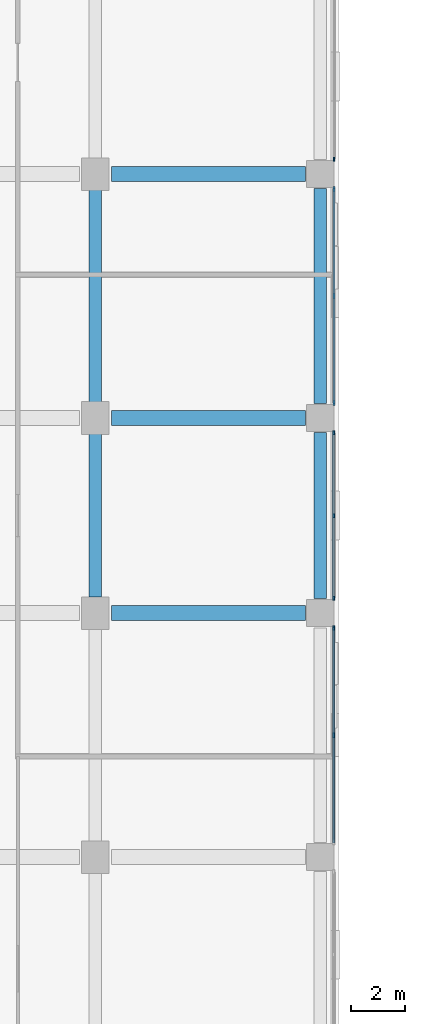
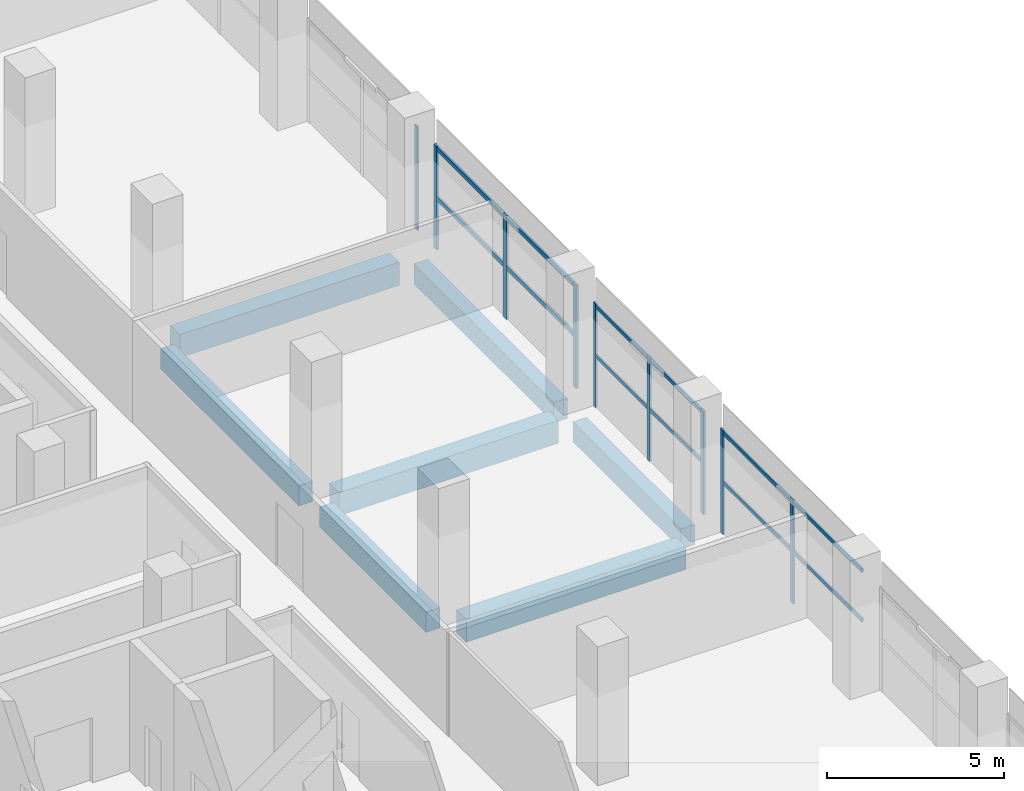
# One storey, part 18 of 111: 15 members, 7 beams, 4 elements without a shape of their own.
"""IFC4 building model written with IfcOpenShell, lengths in metres."""

from ifc_helpers import new_model, si_unit, direction, frame, origin, origin_2d, place, context, subcontext, project, spatial, rectangle, extrude, material, material_profile, profile_set, type_object, element, aggregate, save


model = new_model("IFC4")

# Units and contexts
model_context = context("Model", 3, precision=1e-05, world=origin(), true_north=direction((0.0, 1.0)))
body_context = subcontext(model_context, "Body", "Model", "MODEL_VIEW")
ifc_project = project(units=[si_unit("LENGTHUNIT", "METRE"), si_unit("AREAUNIT", "SQUARE_METRE"), si_unit("VOLUMEUNIT", "CUBIC_METRE"), si_unit("PLANEANGLEUNIT", "RADIAN"), si_unit("MASSUNIT", "GRAM", prefix="KILO"), si_unit("THERMODYNAMICTEMPERATUREUNIT", "KELVIN"), si_unit("POWERUNIT", "WATT")], contexts=[model_context])

# Site, building, storey
site_placement = place(None, origin())
site = spatial("IfcSite", under=ifc_project, at=site_placement, CompositionType="ELEMENT")
building_placement = place(site_placement, origin())
building = spatial("IfcBuilding", under=site, at=building_placement, Name="Sindhuravela Promenade Stadium", CompositionType="ELEMENT")
storey_placement = place(building_placement, frame((0.0, 0.0, 9.60009765625)))
storey = spatial("IfcBuildingStorey", under=building, at=storey_placement, Name="L02", CompositionType="ELEMENT", Elevation=9.60009765625)

# Curtain wall, members
ifc_material_1 = material(Name="Anodised architectural aluminium 6063-T6", Category="aluminium")
curtain_wall_type_1 = type_object("IfcCurtainWallType", Name="CW-MOD-3", PredefinedType="NOTDEFINED", material=ifc_material_1)
curtain_wall_1_placement = place(storey_placement, origin())
curtain_wall_1 = element("IfcCurtainWall", 1, at=curtain_wall_1_placement, inside=storey, type_object=curtain_wall_type_1, Name="Bronze curtain wall CW-WEST-L02-018", PredefinedType="NOTDEFINED")
ifc_material_profile_1 = material_profile(ifc_material_1, rectangle(XDim=0.074951171875, YDim=0.175048828125, at=origin_2d()), Name="ALU MULL 75x175")
ifc_profile_set_1 = profile_set([ifc_material_profile_1], Name="Anodised architectural aluminium 6063-T6")
member_type_1 = type_object("IfcMemberType", Name="CW-MUL-1", PredefinedType="MULLION", material=ifc_profile_set_1)
member_1_placement = place(storey_placement, frame((44.800048828125, 93.050048828125, 0.0), z_axis=(0.0, 0.0, 1.0), x_axis=(1.0, 0.0, 0.0)))
member_1 = element("IfcMember", 2, at=member_1_placement, type_object=member_type_1, Name="Curtain wall mullion CW-WEST-L02-018-M1", PredefinedType="MULLION", context=body_context, shape_type="SweptSolid", body=[
    extrude(rectangle(XDim=0.074951171875, YDim=0.175048828125, at=origin_2d()), origin(), (0.0, 0.0, 1.0), 3.579833984375),
])
member_2_placement = place(storey_placement, frame((44.800048828125, 89.10009765625, 0.0), z_axis=(0.0, 0.0, 1.0), x_axis=(1.0, 0.0, 0.0)))
member_2 = element("IfcMember", 3, at=member_2_placement, type_object=member_type_1, Name="Curtain wall mullion CW-WEST-L02-018-M2", PredefinedType="MULLION", context=body_context, shape_type="SweptSolid", body=[
    extrude(rectangle(XDim=0.074951171875, YDim=0.175048828125, at=origin_2d()), origin(), (0.0, 0.0, 1.0), 3.579833984375),
])
member_3_placement = place(storey_placement, frame((44.800048828125, 85.14990234375, 0.0), z_axis=(0.0, 0.0, 1.0), x_axis=(1.0, 0.0, 0.0)))
member_3 = element("IfcMember", 4, at=member_3_placement, type_object=member_type_1, Name="Curtain wall mullion CW-WEST-L02-018-M3", PredefinedType="MULLION", context=body_context, shape_type="SweptSolid", body=[
    extrude(rectangle(XDim=0.074951171875, YDim=0.175048828125, at=origin_2d()), origin(), (0.0, 0.0, 1.0), 3.579833984375),
])

curtain_wall_type_2 = type_object("IfcCurtainWallType", Name="CW-MOD-4", PredefinedType="NOTDEFINED", material=ifc_material_1)
curtain_wall_2_placement = place(storey_placement, origin())
curtain_wall_2 = element("IfcCurtainWall", 5, at=curtain_wall_2_placement, inside=storey, type_object=curtain_wall_type_2, Name="Bronze curtain wall CW-WEST-L02-019", PredefinedType="NOTDEFINED")
ifc_material_profile_2 = material_profile(ifc_material_1, rectangle(XDim=0.06494140625, YDim=0.14990234375, at=origin_2d()), Name="ALU MULL 65x150")
ifc_profile_set_2 = profile_set([ifc_material_profile_2], Name="Anodised architectural aluminium 6063-T6")
member_type_2 = type_object("IfcMemberType", Name="CW-MUL-2", PredefinedType="MULLION", material=ifc_profile_set_2)
member_4_placement = place(storey_placement, frame((44.800048828125, 84.050048828125, 0.0), z_axis=(0.0, 0.0, 1.0), x_axis=(1.0, 0.0, 0.0)))
member_4 = element("IfcMember", 6, at=member_4_placement, type_object=member_type_2, Name="Curtain wall mullion CW-WEST-L02-019-M1", PredefinedType="MULLION", context=body_context, shape_type="SweptSolid", body=[
    extrude(rectangle(XDim=0.06494140625, YDim=0.14990234375, at=origin_2d()), origin(), (0.0, 0.0, 1.0), 3.579833984375),
])
member_5_placement = place(storey_placement, frame((44.800048828125, 81.0, 0.0), z_axis=(0.0, 0.0, 1.0), x_axis=(1.0, 0.0, 0.0)))
member_5 = element("IfcMember", 7, at=member_5_placement, type_object=member_type_2, Name="Curtain wall mullion CW-WEST-L02-019-M2", PredefinedType="MULLION", context=body_context, shape_type="SweptSolid", body=[
    extrude(rectangle(XDim=0.06494140625, YDim=0.14990234375, at=origin_2d()), origin(), (0.0, 0.0, 1.0), 3.579833984375),
])
member_6_placement = place(storey_placement, frame((44.800048828125, 77.949951171875, 0.0), z_axis=(0.0, 0.0, 1.0), x_axis=(1.0, 0.0, 0.0)))
member_6 = element("IfcMember", 8, at=member_6_placement, type_object=member_type_2, Name="Curtain wall mullion CW-WEST-L02-019-M3", PredefinedType="MULLION", context=body_context, shape_type="SweptSolid", body=[
    extrude(rectangle(XDim=0.06494140625, YDim=0.14990234375, at=origin_2d()), origin(), (0.0, 0.0, 1.0), 3.579833984375),
])

curtain_wall_type_3 = type_object("IfcCurtainWallType", Name="CW-MOD-5", PredefinedType="NOTDEFINED", material=ifc_material_1)
curtain_wall_3_placement = place(storey_placement, origin())
curtain_wall_3 = element("IfcCurtainWall", 9, at=curtain_wall_3_placement, inside=storey, type_object=curtain_wall_type_3, Name="Bronze curtain wall CW-WEST-L02-020", PredefinedType="NOTDEFINED")
ifc_material_profile_3 = material_profile(ifc_material_1, rectangle(XDim=0.06005859375, YDim=0.179931640625, at=origin_2d()), Name="ALU M60x180")
ifc_profile_set_3 = profile_set([ifc_material_profile_3], Name="Anodised architectural aluminium 6063-T6")
member_type_3 = type_object("IfcMemberType", Name="CW-MUL-3", PredefinedType="MULLION", material=ifc_profile_set_3)
member_7_placement = place(storey_placement, frame((44.800048828125, 76.85009765625, 0.0), z_axis=(0.0, 0.0, 1.0), x_axis=(1.0, 0.0, 0.0)))
member_7 = element("IfcMember", 10, at=member_7_placement, type_object=member_type_3, Name="Curtain wall mullion CW-WEST-L02-020-M1", PredefinedType="MULLION", context=body_context, shape_type="SweptSolid", body=[
    extrude(rectangle(XDim=0.06005859375, YDim=0.179931640625, at=origin_2d()), origin(), (0.0, 0.0, 1.0), 3.579833984375),
])
member_8_placement = place(storey_placement, frame((44.800048828125, 72.89990234375, 0.0), z_axis=(0.0, 0.0, 1.0), x_axis=(1.0, 0.0, 0.0)))
member_8 = element("IfcMember", 11, at=member_8_placement, type_object=member_type_3, Name="Curtain wall mullion CW-WEST-L02-020-M2", PredefinedType="MULLION", context=body_context, shape_type="SweptSolid", body=[
    extrude(rectangle(XDim=0.06005859375, YDim=0.179931640625, at=origin_2d()), origin(), (0.0, 0.0, 1.0), 3.579833984375),
])

# Curtain wall, member
curtain_wall_type_4 = type_object("IfcCurtainWallType", Name="CW-MOD-2", PredefinedType="NOTDEFINED", material=ifc_material_1)
curtain_wall_4_placement = place(storey_placement, origin())
curtain_wall_4 = element("IfcCurtainWall", 12, at=curtain_wall_4_placement, inside=storey, type_object=curtain_wall_type_4, Name="Bronze curtain wall CW-WEST-L02-017", PredefinedType="NOTDEFINED")
ifc_material_profile_4 = material_profile(ifc_material_1, rectangle(XDim=0.054931640625, YDim=0.14990234375, at=origin_2d()), Name="ALU M55x150")
ifc_profile_set_4 = profile_set([ifc_material_profile_4], Name="Anodised architectural aluminium 6063-T6")
member_type_4 = type_object("IfcMemberType", Name="CW-MUL-6", PredefinedType="MULLION", material=ifc_profile_set_4)
member_9_placement = place(storey_placement, frame((44.800048828125, 94.14990234375, 0.0), z_axis=(0.0, 0.0, 1.0), x_axis=(1.0, 0.0, 0.0)))
member_9 = element("IfcMember", 13, at=member_9_placement, type_object=member_type_4, Name="Curtain wall mullion CW-WEST-L02-017-M3", PredefinedType="MULLION", context=body_context, shape_type="SweptSolid", body=[
    extrude(rectangle(XDim=0.054931640625, YDim=0.14990234375, at=origin_2d()), origin(), (0.0, 0.0, 1.0), 3.579833984375),
])
aggregate(curtain_wall_4, [member_9])

# Member
ifc_material_profile_5 = material_profile(ifc_material_1, rectangle(XDim=0.074951171875, YDim=0.14990234375, at=origin_2d()), Name="ALU TRAN 75x150")
ifc_profile_set_5 = profile_set([ifc_material_profile_5], Name="Anodised architectural aluminium 6063-T6")
member_type_5 = type_object("IfcMemberType", Name="CW-TRN-1", PredefinedType="USERDEFINED", material=ifc_profile_set_5)
member_10_placement = place(storey_placement, frame((44.800048828125, 93.074951171875, 1.789794921875), z_axis=(0.0, -1.0, 0.0), x_axis=(1.0, 0.0, 0.0)))
member_10 = element("IfcMember", 14, at=member_10_placement, type_object=member_type_5, Name="Curtain wall transom CW-WEST-L02-018-T1", ObjectType="TRANSOM", PredefinedType="USERDEFINED", context=body_context, shape_type="SweptSolid", body=[
    extrude(rectangle(XDim=0.074951171875, YDim=0.14990234375, at=origin_2d()), origin(), (0.0, 0.0, 1.0), 7.949951171875),
])

member_11_placement = place(storey_placement, frame((44.800048828125, 93.074951171875, 3.5), z_axis=(0.0, -1.0, 0.0), x_axis=(1.0, 0.0, 0.0)))
member_11 = element("IfcMember", 15, at=member_11_placement, type_object=member_type_5, Name="Curtain wall transom CW-WEST-L02-018-T2", ObjectType="TRANSOM", PredefinedType="USERDEFINED", context=body_context, shape_type="SweptSolid", body=[
    extrude(rectangle(XDim=0.074951171875, YDim=0.14990234375, at=origin_2d()), origin(), (0.0, 0.0, 1.0), 7.949951171875),
])

aggregate(curtain_wall_1, [member_1, member_2, member_3, member_10, member_11])

ifc_material_profile_6 = material_profile(ifc_material_1, rectangle(XDim=0.06494140625, YDim=0.125, at=origin_2d()), Name="ALU TRAN 65x125")
ifc_profile_set_6 = profile_set([ifc_material_profile_6], Name="Anodised architectural aluminium 6063-T6")
member_type_6 = type_object("IfcMemberType", Name="CW-TRN-2", PredefinedType="USERDEFINED", material=ifc_profile_set_6)
member_12_placement = place(storey_placement, frame((44.800048828125, 84.074951171875, 1.789794921875), z_axis=(0.0, -1.0, 0.0), x_axis=(1.0, 0.0, 0.0)))
member_12 = element("IfcMember", 16, at=member_12_placement, type_object=member_type_6, Name="Curtain wall transom CW-WEST-L02-019-T1", ObjectType="TRANSOM", PredefinedType="USERDEFINED", context=body_context, shape_type="SweptSolid", body=[
    extrude(rectangle(XDim=0.06494140625, YDim=0.125, at=origin_2d()), origin(), (0.0, 0.0, 1.0), 6.14990234375),
])

member_13_placement = place(storey_placement, frame((44.800048828125, 84.074951171875, 3.5), z_axis=(0.0, -1.0, 0.0), x_axis=(1.0, 0.0, 0.0)))
member_13 = element("IfcMember", 17, at=member_13_placement, type_object=member_type_6, Name="Curtain wall transom CW-WEST-L02-019-T2", ObjectType="TRANSOM", PredefinedType="USERDEFINED", context=body_context, shape_type="SweptSolid", body=[
    extrude(rectangle(XDim=0.06494140625, YDim=0.125, at=origin_2d()), origin(), (0.0, 0.0, 1.0), 6.14990234375),
])

aggregate(curtain_wall_2, [member_4, member_5, member_6, member_12, member_13])

ifc_material_profile_7 = material_profile(ifc_material_1, rectangle(XDim=0.06005859375, YDim=0.1298828125, at=origin_2d()), Name="ALU T60x130")
ifc_profile_set_7 = profile_set([ifc_material_profile_7], Name="Anodised architectural aluminium 6063-T6")
member_type_7 = type_object("IfcMemberType", Name="CW-TRN-3", PredefinedType="USERDEFINED", material=ifc_profile_set_7)
member_14_placement = place(storey_placement, frame((44.800048828125, 76.875, 1.789794921875), z_axis=(0.0, -1.0, 0.0), x_axis=(1.0, 0.0, 0.0)))
member_14 = element("IfcMember", 18, at=member_14_placement, type_object=member_type_7, Name="Curtain wall transom CW-WEST-L02-020-T1", ObjectType="TRANSOM", PredefinedType="USERDEFINED", context=body_context, shape_type="SweptSolid", body=[
    extrude(rectangle(XDim=0.06005859375, YDim=0.1298828125, at=origin_2d()), origin(), (0.0, 0.0, 1.0), 7.949951171875),
])

member_15_placement = place(storey_placement, frame((44.800048828125, 76.875, 3.5), z_axis=(0.0, -1.0, 0.0), x_axis=(1.0, 0.0, 0.0)))
member_15 = element("IfcMember", 19, at=member_15_placement, type_object=member_type_7, Name="Curtain wall transom CW-WEST-L02-020-T2", ObjectType="TRANSOM", PredefinedType="USERDEFINED", context=body_context, shape_type="SweptSolid", body=[
    extrude(rectangle(XDim=0.06005859375, YDim=0.1298828125, at=origin_2d()), origin(), (0.0, 0.0, 1.0), 7.949951171875),
])

aggregate(curtain_wall_3, [member_7, member_8, member_14, member_15])

# Beams
ifc_material_2 = material(Name="Concrete M40", Category="concrete")
ifc_material_profile_8 = material_profile(ifc_material_2, rectangle(XDim=0.449951171875, YDim=0.699951171875, at=origin_2d()), Name="RC 450x700")
ifc_profile_set_8 = profile_set([ifc_material_profile_8], Name="Concrete M40")
beam_type_1 = type_object("IfcBeamType", Name="RC-BM-450x700", PredefinedType="BEAM", material=ifc_profile_set_8)
beam_1_placement = place(storey_placement, frame((36.0, 77.989990234375, -0.630126953125), z_axis=(0.0, 1.0, 0.0), x_axis=(-1.0, 0.0, 0.0)))
element("IfcBeam", 20, at=beam_1_placement, inside=storey, type_object=beam_type_1, Name="Primary beam GB07 WEST L02", PredefinedType="BEAM", context=body_context, shape_type="SweptSolid", body=[
    extrude(rectangle(XDim=0.449951171875, YDim=0.699951171875, at=origin_2d()), origin(), (0.0, 0.0, 1.0), 6.02001953125),
])
beam_2_placement = place(storey_placement, frame((36.0, 85.18994140625, -0.630126953125), z_axis=(0.0, 1.0, 0.0), x_axis=(-1.0, 0.0, 0.0)))
element("IfcBeam", 21, at=beam_2_placement, inside=storey, type_object=beam_type_1, Name="Primary beam GB07 WEST L02", PredefinedType="BEAM", context=body_context, shape_type="SweptSolid", body=[
    extrude(rectangle(XDim=0.449951171875, YDim=0.699951171875, at=origin_2d()), origin(), (0.0, 0.0, 1.0), 7.820068359375),
])
beam_3_placement = place(storey_placement, frame((44.300048828125, 77.93994140625, -0.630126953125), z_axis=(0.0, 1.0, 0.0), x_axis=(-1.0, 0.0, 0.0)))
element("IfcBeam", 22, at=beam_3_placement, inside=storey, type_object=beam_type_1, Name="Primary beam GB07 WEST L02", PredefinedType="BEAM", context=body_context, shape_type="SweptSolid", body=[
    extrude(rectangle(XDim=0.449951171875, YDim=0.699951171875, at=origin_2d()), origin(), (0.0, 0.0, 1.0), 6.1201171875),
])
beam_4_placement = place(storey_placement, frame((44.300048828125, 85.139892578125, -0.630126953125), z_axis=(0.0, 1.0, 0.0), x_axis=(-1.0, 0.0, 0.0)))
element("IfcBeam", 23, at=beam_4_placement, inside=storey, type_object=beam_type_1, Name="Primary beam GB07 WEST L02", PredefinedType="BEAM", context=body_context, shape_type="SweptSolid", body=[
    extrude(rectangle(XDim=0.449951171875, YDim=0.699951171875, at=origin_2d()), origin(), (0.0, 0.0, 1.0), 7.920166015625),
])
ifc_material_profile_9 = material_profile(ifc_material_2, rectangle(XDim=0.550048828125, YDim=0.800048828125, at=origin_2d()), Name="RC 550x800")
ifc_profile_set_9 = profile_set([ifc_material_profile_9], Name="Concrete M40")
beam_type_2 = type_object("IfcBeamType", Name="RC-BM-550x800", PredefinedType="BEAM", material=ifc_profile_set_9)
for number, where, z_axis, x_axis, name in (
    (24, (36.590087890625, 77.39990234375, -0.68017578125), (1.0, 0.0, 0.0), (0.0, 1.0, 0.0), "Primary girder GB05 WEST L02"),
    (25, (36.590087890625, 84.60009765625, -0.68017578125), (1.0, 0.0, 0.0), (0.0, 1.0, 0.0), "Primary girder GB05 WEST L02"),
    (26, (36.590087890625, 93.60009765625, -0.68017578125), (1.0, 0.0, 0.0), (0.0, 1.0, 0.0), "Primary girder GB05 WEST L02"),
):
    element("IfcBeam", number, at=place(storey_placement, frame(where, z_axis=z_axis, x_axis=x_axis)), inside=storey, type_object=beam_type_2, Name=name, PredefinedType="BEAM", context=body_context, shape_type="SweptSolid", body=[
        extrude(rectangle(XDim=0.550048828125, YDim=0.800048828125, at=origin_2d()), origin(), (0.0, 0.0, 1.0), 7.169921875),
    ])

save(model, "model.ifc")
